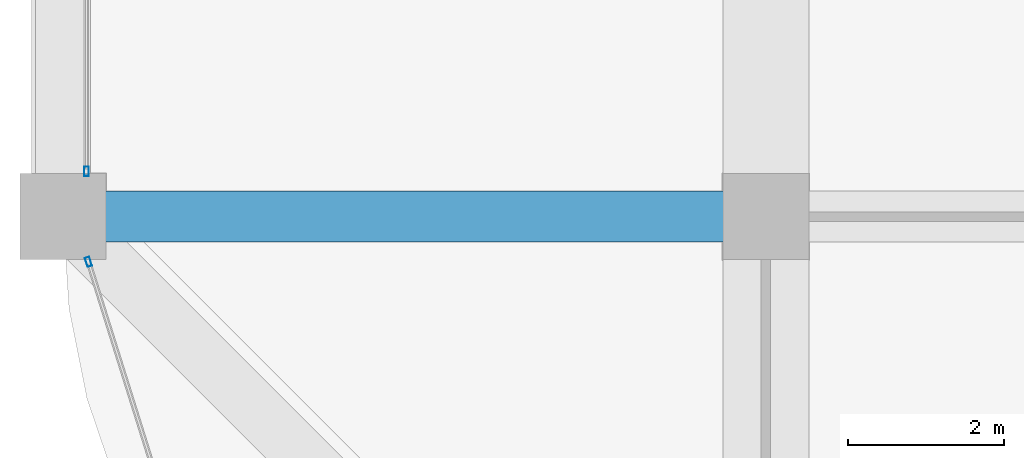
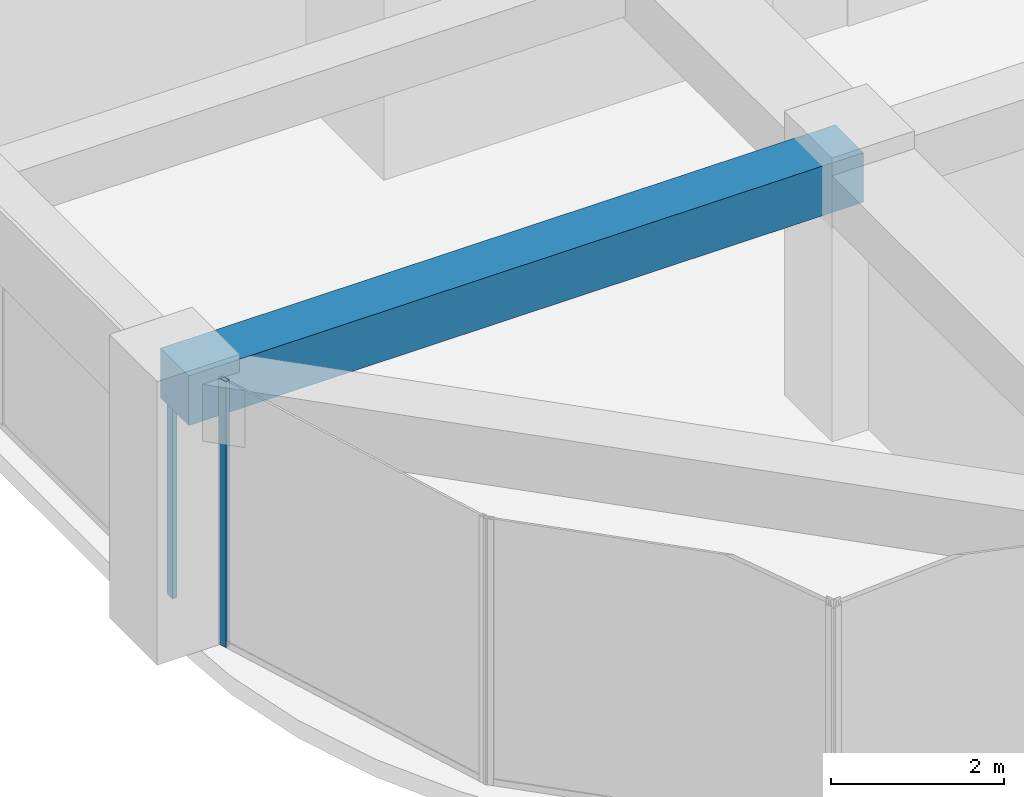
# One storey, part 6 of 45: 2 members, 1 beam, 2 elements without a shape of their own.
"""IFC4 building model written with IfcOpenShell, lengths in metres."""

from ifc_helpers import new_model, si_unit, direction, frame, origin, origin_2d, place, context, subcontext, project, spatial, rectangle, hollow_rectangle, extrude, material, material_profile, profile_set, type_object, element, aggregate, save


model = new_model("IFC4")

# Units and contexts
model_context = context("Model", 3, precision=1e-05, world=origin(), true_north=direction((0.0, 1.0)))
body_context = subcontext(model_context, "Body", "Model", "MODEL_VIEW")
ifc_project = project(units=[si_unit("LENGTHUNIT", "METRE"), si_unit("AREAUNIT", "SQUARE_METRE"), si_unit("VOLUMEUNIT", "CUBIC_METRE"), si_unit("PLANEANGLEUNIT", "RADIAN"), si_unit("MASSUNIT", "GRAM", prefix="KILO")], contexts=[model_context])

# Site, building, storey
site_placement = place(None, origin())
site = spatial("IfcSite", under=ifc_project, at=site_placement, CompositionType="ELEMENT")
building_placement = place(site_placement, origin())
building = spatial("IfcBuilding", under=site, at=building_placement, Name="Zorevar Civic Tower", CompositionType="ELEMENT")
storey_placement = place(building_placement, frame((0.0, 0.0, 279.39990234375)))
storey = spatial("IfcBuildingStorey", under=building, at=storey_placement, Name="L68", CompositionType="ELEMENT", Elevation=279.39990234375)

# Beam
ifc_material_1 = material(Name="Concrete C50/60", Category="concrete")
ifc_material_profile_1 = material_profile(ifc_material_1, rectangle(XDim=0.64990234375, YDim=0.699951171875, at=origin_2d()), Name="RC 650x700")
ifc_profile_set_1 = profile_set([ifc_material_profile_1], Name="Concrete C50/60")
beam_type = type_object("IfcBeamType", Name="Beam RC 650x700", PredefinedType="BEAM", material=ifc_profile_set_1)
beam_placement = place(storey_placement, frame((9.0, 9.0, 3.400146484375), z_axis=(1.0, 0.0, 0.0), x_axis=(0.0, 1.0, 0.0)))
element("IfcBeam", 1, at=beam_placement, inside=storey, type_object=beam_type, Name="Girder L69", PredefinedType="BEAM", context=body_context, shape_type="SweptSolid", body=[
    extrude(rectangle(XDim=0.64990234375, YDim=0.699951171875, at=origin_2d()), origin(), (0.0, 0.0, 1.0), 9.0),
])

# Curtain wall, member
ifc_material_2 = material(Name="Dark grey solar-control glass in black aluminium frame", Category="aluminium")
curtain_wall_type = type_object("IfcCurtainWallType", Name="Curtain wall CW5 top zone", PredefinedType="NOTDEFINED", material=ifc_material_2)
curtain_wall_1_placement = place(storey_placement, origin())
curtain_wall_1 = element("IfcCurtainWall", 2, at=curtain_wall_1_placement, inside=storey, type_object=curtain_wall_type, Name="CW5 L68", PredefinedType="NOTDEFINED")
ifc_material_3 = material(Name="Aluminium, black anodised", Category="aluminium")
ifc_material_profile_2 = material_profile(ifc_material_3, hollow_rectangle(XDim=0.06005859375, YDim=0.1201171875, WallThickness=0.0029296875, at=origin_2d()), Name="AL 120x60x3")
ifc_profile_set_2 = profile_set([ifc_material_profile_2], Name="Aluminium, black anodised")
member_type = type_object("IfcMemberType", Name="CW5 mullion AL 120x60x3", PredefinedType="MULLION", material=ifc_profile_set_2)
member_1_placement = place(storey_placement, frame((9.300048828125, 9.580078125, 0.0), z_axis=(0.0, 0.0, 1.0), x_axis=(-1.0, 0.0, 0.0)))
member_1 = element("IfcMember", 3, at=member_1_placement, type_object=member_type, Name="CW5 mullion 1", PredefinedType="MULLION", context=body_context, shape_type="SweptSolid", body=[
    extrude(hollow_rectangle(XDim=0.06005859375, YDim=0.1201171875, WallThickness=0.0029296875, at=origin_2d()), origin(), (0.0, 0.0, 1.0), 2.9501953125),
])
aggregate(curtain_wall_1, [member_1])

curtain_wall_2_placement = place(storey_placement, origin())
curtain_wall_2 = element("IfcCurtainWall", 4, at=curtain_wall_2_placement, inside=storey, type_object=curtain_wall_type, Name="CW5 L68", PredefinedType="NOTDEFINED")
member_2_placement = place(storey_placement, frame((9.326416015625, 8.42138671875, 0.0), z_axis=(0.0, 0.0, 1.0), x_axis=(0.954153437674, 0.299317920238, 0.0)))
member_2 = element("IfcMember", 5, at=member_2_placement, type_object=member_type, Name="CW5 mullion 1", PredefinedType="MULLION", context=body_context, shape_type="SweptSolid", body=[
    extrude(hollow_rectangle(XDim=0.06005859375, YDim=0.1201171875, WallThickness=0.0029296875, at=origin_2d()), origin(), (0.0, 0.0, 1.0), 3.75),
])
aggregate(curtain_wall_2, [member_2])

save(model, "model.ifc")
